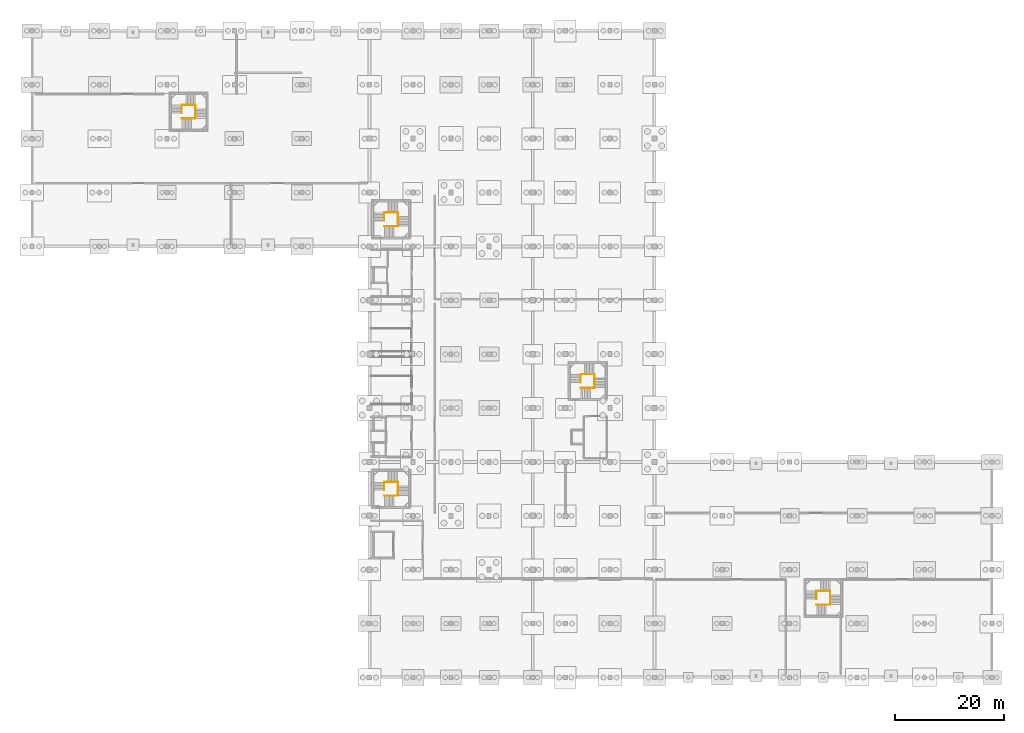
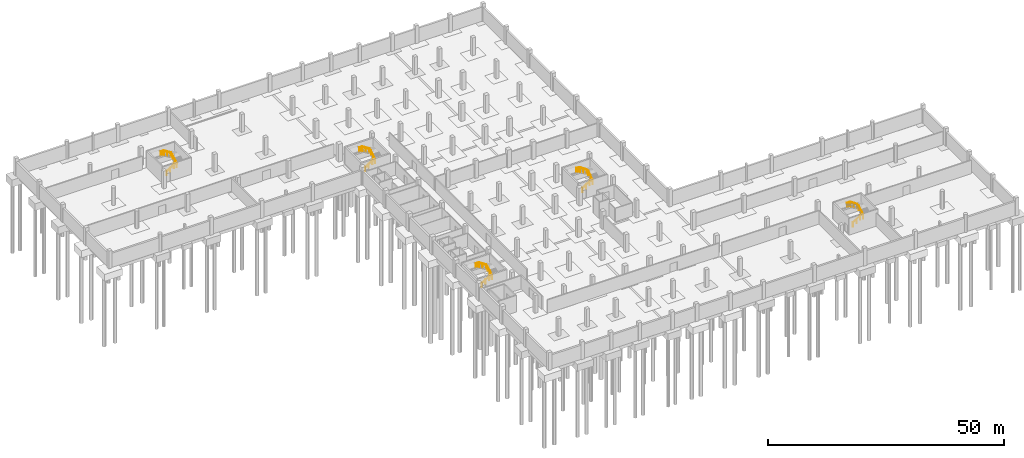
# One storey, part 29 of 30: 9 railings.
"""IFC4 building model written with IfcOpenShell, lengths in metres."""

from ifc_helpers import new_model, si_unit, direction, frame, origin, origin_2d, place, context, subcontext, project, spatial, circle, extrude, material, type_object, element, save


model = new_model("IFC4")

# Units and contexts
model_context = context("Model", 3, precision=1e-05, world=origin(), true_north=direction((0.0, 1.0)))
body_context = subcontext(model_context, "Body", "Model", "MODEL_VIEW")
ifc_project = project(units=[si_unit("LENGTHUNIT", "METRE"), si_unit("AREAUNIT", "SQUARE_METRE"), si_unit("VOLUMEUNIT", "CUBIC_METRE"), si_unit("PLANEANGLEUNIT", "RADIAN"), si_unit("MASSUNIT", "GRAM", prefix="KILO")], contexts=[model_context])

# Site, building, storey
site_placement = place(None, origin())
site = spatial("IfcSite", under=ifc_project, at=site_placement, CompositionType="ELEMENT")
building_placement = place(site_placement, origin())
building = spatial("IfcBuilding", under=site, at=building_placement, Name="Sillaruma Civic Art Gallery", CompositionType="ELEMENT")
storey_placement = place(building_placement, frame((0.0, 0.0, -9.179931640625)))
storey = spatial("IfcBuildingStorey", under=building, at=storey_placement, Name="B02", CompositionType="ELEMENT", Elevation=-9.179931640625)

# Railings
ifc_material = material(Name="Stainless Steel AISI 316", Category="steel")
railing_type_1 = type_object("IfcRailingType", Name="RAL-BAL-1150", PredefinedType="BALUSTRADE", material=ifc_material)
railing_1_placement = place(storey_placement, frame((27.5400390625, 102.679931640625, 0.0)))
element("IfcRailing", 1, at=railing_1_placement, inside=storey, type_object=railing_type_1, Name="Stair Well Balustrade (ST-01-B02)", PredefinedType="BALUSTRADE", context=body_context, shape_type="SweptSolid", body=[
    extrude(circle(Radius=0.02392578125, at=origin_2d()), frame((0.0, 0.0, 1.1259765625), z_axis=(0.834202413191, 0.0, 0.551458369984), x_axis=(0.0, 1.0, 0.0)), (0.0, 0.0, 1.0), 2.15771484375),
    extrude(circle(Radius=0.02392578125, at=origin_2d()), frame((1.800048828125, 0.0, 2.31591796875), z_axis=(1.0, 0.0, 0.0), x_axis=(0.0, 1.0, 0.0)), (0.0, 0.0, 1.0), 0.719970703125),
    extrude(circle(Radius=0.02392578125, at=origin_2d()), frame((2.52001953125, 0.0, 2.31591796875), z_axis=(0.0, 0.834202413191, 0.551458369984), x_axis=(-1.0, 0.0, 0.0)), (0.0, 0.0, 1.0), 2.15771484375),
    extrude(circle(Radius=0.02392578125, at=origin_2d()), frame((2.52001953125, 1.800048828125, 3.505859375), z_axis=(0.0, 1.0, 0.0), x_axis=(-1.0, 0.0, 0.0)), (0.0, 0.0, 1.0), 0.719970703125),
    extrude(circle(Radius=0.02392578125, at=origin_2d()), frame((2.52001953125, 2.52001953125, 3.505859375), z_axis=(-0.834202413191, 0.0, 0.551458369984), x_axis=(0.0, -1.0, 0.0)), (0.0, 0.0, 1.0), 2.15771484375),
    extrude(circle(Radius=0.02392578125, at=origin_2d()), frame((0.719970703125, 2.52001953125, 4.69580078125), z_axis=(-1.0, 0.0, 0.0), x_axis=(0.0, -1.0, 0.0)), (0.0, 0.0, 1.0), 0.719970703125),
    extrude(circle(Radius=0.02392578125, at=origin_2d()), frame((0.0, 2.52001953125, 4.69580078125), z_axis=(0.0, -0.828654473869, 0.559760451387), x_axis=(1.0, 0.0, 0.0)), (0.0, 0.0, 1.0), 1.822265625),
    extrude(circle(Radius=0.02099609375, at=origin_2d()), origin(), (0.0, 0.0, 1.0), 1.101806640625),
    extrude(circle(Radius=0.02099609375, at=origin_2d()), frame((0.89990234375, 0.0, 0.594970703125)), (0.0, 0.0, 1.0), 1.101806640625),
    extrude(circle(Radius=0.02099609375, at=origin_2d()), frame((1.800048828125, 0.0, 1.18994140625)), (0.0, 0.0, 1.0), 1.101806640625),
    extrude(circle(Radius=0.02099609375, at=origin_2d()), frame((2.52001953125, 0.0, 1.18994140625)), (0.0, 0.0, 1.0), 1.101806640625),
    extrude(circle(Radius=0.02099609375, at=origin_2d()), frame((2.52001953125, 0.89990234375, 1.784912109375)), (0.0, 0.0, 1.0), 1.101806640625),
    extrude(circle(Radius=0.02099609375, at=origin_2d()), frame((2.52001953125, 1.800048828125, 2.3798828125)), (0.0, 0.0, 1.0), 1.101806640625),
    extrude(circle(Radius=0.02099609375, at=origin_2d()), frame((2.52001953125, 2.52001953125, 2.3798828125)), (0.0, 0.0, 1.0), 1.101806640625),
    extrude(circle(Radius=0.02099609375, at=origin_2d()), frame((1.6201171875, 2.52001953125, 2.974853515625)), (0.0, 0.0, 1.0), 1.101806640625),
    extrude(circle(Radius=0.02099609375, at=origin_2d()), frame((0.719970703125, 2.52001953125, 3.56982421875)), (0.0, 0.0, 1.0), 1.101806640625),
    extrude(circle(Radius=0.02099609375, at=origin_2d()), frame((0.0, 2.52001953125, 3.56982421875)), (0.0, 0.0, 1.0), 1.101806640625),
    extrude(circle(Radius=0.02099609375, at=origin_2d()), frame((0.0, 1.76513671875, 4.079833984375)), (0.0, 0.0, 1.0), 1.101806640625),
    extrude(circle(Radius=0.02099609375, at=origin_2d()), frame((0.0, 1.010009765625, 4.58984375)), (0.0, 0.0, 1.0), 1.101806640625),
])
railing_2_placement = place(storey_placement, frame((64.739990234375, 82.889892578125, 0.0)))
element("IfcRailing", 2, at=railing_2_placement, inside=storey, type_object=railing_type_1, Name="Stair Well Balustrade (ST-02-B02)", PredefinedType="BALUSTRADE", context=body_context, shape_type="SweptSolid", body=[
    extrude(circle(Radius=0.02392578125, at=origin_2d()), frame((0.0, 0.0, 1.1259765625), z_axis=(0.834202413191, 0.0, 0.551458369984), x_axis=(0.0, 1.0, 0.0)), (0.0, 0.0, 1.0), 2.15771484375),
    extrude(circle(Radius=0.02392578125, at=origin_2d()), frame((1.800048828125, 0.0, 2.31591796875), z_axis=(1.0, 0.0, 0.0), x_axis=(0.0, 1.0, 0.0)), (0.0, 0.0, 1.0), 0.719970703125),
    extrude(circle(Radius=0.02392578125, at=origin_2d()), frame((2.52001953125, 0.0, 2.31591796875), z_axis=(0.0, 0.834202413191, 0.551458369984), x_axis=(-1.0, 0.0, 0.0)), (0.0, 0.0, 1.0), 2.15771484375),
    extrude(circle(Radius=0.02392578125, at=origin_2d()), frame((2.52001953125, 1.800048828125, 3.505859375), z_axis=(0.0, 1.0, 0.0), x_axis=(-1.0, 0.0, 0.0)), (0.0, 0.0, 1.0), 0.719970703125),
    extrude(circle(Radius=0.02392578125, at=origin_2d()), frame((2.52001953125, 2.52001953125, 3.505859375), z_axis=(-0.834202413191, 0.0, 0.551458369984), x_axis=(0.0, -1.0, 0.0)), (0.0, 0.0, 1.0), 2.15771484375),
    extrude(circle(Radius=0.02392578125, at=origin_2d()), frame((0.719970703125, 2.52001953125, 4.69580078125), z_axis=(-1.0, 0.0, 0.0), x_axis=(0.0, -1.0, 0.0)), (0.0, 0.0, 1.0), 0.719970703125),
    extrude(circle(Radius=0.02392578125, at=origin_2d()), frame((0.0, 2.52001953125, 4.69580078125), z_axis=(0.0, -0.828654473869, 0.559760451387), x_axis=(1.0, 0.0, 0.0)), (0.0, 0.0, 1.0), 1.822265625),
    extrude(circle(Radius=0.02099609375, at=origin_2d()), origin(), (0.0, 0.0, 1.0), 1.101806640625),
    extrude(circle(Radius=0.02099609375, at=origin_2d()), frame((0.89990234375, 0.0, 0.594970703125)), (0.0, 0.0, 1.0), 1.101806640625),
    extrude(circle(Radius=0.02099609375, at=origin_2d()), frame((1.800048828125, 0.0, 1.18994140625)), (0.0, 0.0, 1.0), 1.101806640625),
    extrude(circle(Radius=0.02099609375, at=origin_2d()), frame((2.52001953125, 0.0, 1.18994140625)), (0.0, 0.0, 1.0), 1.101806640625),
    extrude(circle(Radius=0.02099609375, at=origin_2d()), frame((2.52001953125, 0.89990234375, 1.784912109375)), (0.0, 0.0, 1.0), 1.101806640625),
    extrude(circle(Radius=0.02099609375, at=origin_2d()), frame((2.52001953125, 1.800048828125, 2.3798828125)), (0.0, 0.0, 1.0), 1.101806640625),
    extrude(circle(Radius=0.02099609375, at=origin_2d()), frame((2.52001953125, 2.52001953125, 2.3798828125)), (0.0, 0.0, 1.0), 1.101806640625),
    extrude(circle(Radius=0.02099609375, at=origin_2d()), frame((1.6201171875, 2.52001953125, 2.974853515625)), (0.0, 0.0, 1.0), 1.101806640625),
    extrude(circle(Radius=0.02099609375, at=origin_2d()), frame((0.719970703125, 2.52001953125, 3.56982421875)), (0.0, 0.0, 1.0), 1.101806640625),
    extrude(circle(Radius=0.02099609375, at=origin_2d()), frame((0.0, 2.52001953125, 3.56982421875)), (0.0, 0.0, 1.0), 1.101806640625),
    extrude(circle(Radius=0.02099609375, at=origin_2d()), frame((0.0, 1.76513671875, 4.079833984375)), (0.0, 0.0, 1.0), 1.101806640625),
    extrude(circle(Radius=0.02099609375, at=origin_2d()), frame((0.0, 1.010009765625, 4.58984375)), (0.0, 0.0, 1.0), 1.101806640625),
])
railing_3_placement = place(storey_placement, frame((64.739990234375, 33.389892578125, 0.0)))
element("IfcRailing", 3, at=railing_3_placement, inside=storey, type_object=railing_type_1, Name="Stair Well Balustrade (ST-03-B02)", PredefinedType="BALUSTRADE", context=body_context, shape_type="SweptSolid", body=[
    extrude(circle(Radius=0.02392578125, at=origin_2d()), frame((0.0, 0.0, 1.1259765625), z_axis=(0.834202413191, 0.0, 0.551458369984), x_axis=(0.0, 1.0, 0.0)), (0.0, 0.0, 1.0), 2.15771484375),
    extrude(circle(Radius=0.02392578125, at=origin_2d()), frame((1.800048828125, 0.0, 2.31591796875), z_axis=(1.0, 0.0, 0.0), x_axis=(0.0, 1.0, 0.0)), (0.0, 0.0, 1.0), 0.719970703125),
    extrude(circle(Radius=0.02392578125, at=origin_2d()), frame((2.52001953125, 0.0, 2.31591796875), z_axis=(0.0, 0.834202413191, 0.551458369984), x_axis=(-1.0, 0.0, 0.0)), (0.0, 0.0, 1.0), 2.15771484375),
    extrude(circle(Radius=0.02392578125, at=origin_2d()), frame((2.52001953125, 1.800048828125, 3.505859375), z_axis=(0.0, 1.0, 0.0), x_axis=(-1.0, 0.0, 0.0)), (0.0, 0.0, 1.0), 0.719970703125),
    extrude(circle(Radius=0.02392578125, at=origin_2d()), frame((2.52001953125, 2.52001953125, 3.505859375), z_axis=(-0.834202413191, 0.0, 0.551458369984), x_axis=(0.0, -1.0, 0.0)), (0.0, 0.0, 1.0), 2.15771484375),
    extrude(circle(Radius=0.02392578125, at=origin_2d()), frame((0.719970703125, 2.52001953125, 4.69580078125), z_axis=(-1.0, 0.0, 0.0), x_axis=(0.0, -1.0, 0.0)), (0.0, 0.0, 1.0), 0.719970703125),
    extrude(circle(Radius=0.02392578125, at=origin_2d()), frame((0.0, 2.52001953125, 4.69580078125), z_axis=(0.0, -0.828654473869, 0.559760451387), x_axis=(1.0, 0.0, 0.0)), (0.0, 0.0, 1.0), 1.822265625),
    extrude(circle(Radius=0.02099609375, at=origin_2d()), origin(), (0.0, 0.0, 1.0), 1.101806640625),
    extrude(circle(Radius=0.02099609375, at=origin_2d()), frame((0.89990234375, 0.0, 0.594970703125)), (0.0, 0.0, 1.0), 1.101806640625),
    extrude(circle(Radius=0.02099609375, at=origin_2d()), frame((1.800048828125, 0.0, 1.18994140625)), (0.0, 0.0, 1.0), 1.101806640625),
    extrude(circle(Radius=0.02099609375, at=origin_2d()), frame((2.52001953125, 0.0, 1.18994140625)), (0.0, 0.0, 1.0), 1.101806640625),
    extrude(circle(Radius=0.02099609375, at=origin_2d()), frame((2.52001953125, 0.89990234375, 1.784912109375)), (0.0, 0.0, 1.0), 1.101806640625),
    extrude(circle(Radius=0.02099609375, at=origin_2d()), frame((2.52001953125, 1.800048828125, 2.3798828125)), (0.0, 0.0, 1.0), 1.101806640625),
    extrude(circle(Radius=0.02099609375, at=origin_2d()), frame((2.52001953125, 2.52001953125, 2.3798828125)), (0.0, 0.0, 1.0), 1.101806640625),
    extrude(circle(Radius=0.02099609375, at=origin_2d()), frame((1.6201171875, 2.52001953125, 2.974853515625)), (0.0, 0.0, 1.0), 1.101806640625),
    extrude(circle(Radius=0.02099609375, at=origin_2d()), frame((0.719970703125, 2.52001953125, 3.56982421875)), (0.0, 0.0, 1.0), 1.101806640625),
    extrude(circle(Radius=0.02099609375, at=origin_2d()), frame((0.0, 2.52001953125, 3.56982421875)), (0.0, 0.0, 1.0), 1.101806640625),
    extrude(circle(Radius=0.02099609375, at=origin_2d()), frame((0.0, 1.76513671875, 4.079833984375)), (0.0, 0.0, 1.0), 1.101806640625),
    extrude(circle(Radius=0.02099609375, at=origin_2d()), frame((0.0, 1.010009765625, 4.58984375)), (0.0, 0.0, 1.0), 1.101806640625),
])
railing_4_placement = place(storey_placement, frame((100.840087890625, 53.18994140625, 0.0)))
element("IfcRailing", 4, at=railing_4_placement, inside=storey, type_object=railing_type_1, Name="Stair Well Balustrade (ST-04-B02)", PredefinedType="BALUSTRADE", context=body_context, shape_type="SweptSolid", body=[
    extrude(circle(Radius=0.02392578125, at=origin_2d()), frame((0.0, 0.0, 1.1259765625), z_axis=(0.834168000855, 0.0, 0.551510422703), x_axis=(0.0, 1.0, 0.0)), (0.0, 0.0, 1.0), 2.15771484375),
    extrude(circle(Radius=0.02392578125, at=origin_2d()), frame((1.7998046875, 0.0, 2.31591796875), z_axis=(1.0, 0.0, 0.0), x_axis=(0.0, 1.0, 0.0)), (0.0, 0.0, 1.0), 0.72021484375),
    extrude(circle(Radius=0.02392578125, at=origin_2d()), frame((2.52001953125, 0.0, 2.31591796875), z_axis=(0.0, 0.834202413191, 0.551458369984), x_axis=(-1.0, 0.0, 0.0)), (0.0, 0.0, 1.0), 2.15771484375),
    extrude(circle(Radius=0.02392578125, at=origin_2d()), frame((2.52001953125, 1.800048828125, 3.505859375), z_axis=(0.0, 1.0, 0.0), x_axis=(-1.0, 0.0, 0.0)), (0.0, 0.0, 1.0), 0.719970703125),
    extrude(circle(Radius=0.02392578125, at=origin_2d()), frame((2.52001953125, 2.52001953125, 3.505859375), z_axis=(-0.834202413191, 0.0, 0.551458369984), x_axis=(0.0, -1.0, 0.0)), (0.0, 0.0, 1.0), 2.15771484375),
    extrude(circle(Radius=0.02392578125, at=origin_2d()), frame((0.719970703125, 2.52001953125, 4.69580078125), z_axis=(-1.0, 0.0, 0.0), x_axis=(0.0, -1.0, 0.0)), (0.0, 0.0, 1.0), 0.719970703125),
    extrude(circle(Radius=0.02392578125, at=origin_2d()), frame((0.0, 2.52001953125, 4.69580078125), z_axis=(0.0, -0.828654473869, 0.559760451387), x_axis=(1.0, 0.0, 0.0)), (0.0, 0.0, 1.0), 1.822265625),
    extrude(circle(Radius=0.02099609375, at=origin_2d()), origin(), (0.0, 0.0, 1.0), 1.101806640625),
    extrude(circle(Radius=0.02099609375, at=origin_2d()), frame((0.89990234375, 0.0, 0.594970703125)), (0.0, 0.0, 1.0), 1.101806640625),
    extrude(circle(Radius=0.02099609375, at=origin_2d()), frame((1.7998046875, 0.0, 1.18994140625)), (0.0, 0.0, 1.0), 1.101806640625),
    extrude(circle(Radius=0.02099609375, at=origin_2d()), frame((2.52001953125, 0.0, 1.18994140625)), (0.0, 0.0, 1.0), 1.101806640625),
    extrude(circle(Radius=0.02099609375, at=origin_2d()), frame((2.52001953125, 0.89990234375, 1.784912109375)), (0.0, 0.0, 1.0), 1.101806640625),
    extrude(circle(Radius=0.02099609375, at=origin_2d()), frame((2.52001953125, 1.800048828125, 2.3798828125)), (0.0, 0.0, 1.0), 1.101806640625),
    extrude(circle(Radius=0.02099609375, at=origin_2d()), frame((2.52001953125, 2.52001953125, 2.3798828125)), (0.0, 0.0, 1.0), 1.101806640625),
    extrude(circle(Radius=0.02099609375, at=origin_2d()), frame((1.6201171875, 2.52001953125, 2.974853515625)), (0.0, 0.0, 1.0), 1.101806640625),
    extrude(circle(Radius=0.02099609375, at=origin_2d()), frame((0.719970703125, 2.52001953125, 3.56982421875)), (0.0, 0.0, 1.0), 1.101806640625),
    extrude(circle(Radius=0.02099609375, at=origin_2d()), frame((0.0, 2.52001953125, 3.56982421875)), (0.0, 0.0, 1.0), 1.101806640625),
    extrude(circle(Radius=0.02099609375, at=origin_2d()), frame((0.0, 1.76513671875, 4.079833984375)), (0.0, 0.0, 1.0), 1.101806640625),
    extrude(circle(Radius=0.02099609375, at=origin_2d()), frame((0.0, 1.010009765625, 4.58984375)), (0.0, 0.0, 1.0), 1.101806640625),
])
railing_5_placement = place(storey_placement, frame((144.139892578125, 13.3798828125, 0.0)))
element("IfcRailing", 5, at=railing_5_placement, inside=storey, type_object=railing_type_1, Name="Stair Well Balustrade (ST-05-B02)", PredefinedType="BALUSTRADE", context=body_context, shape_type="SweptSolid", body=[
    extrude(circle(Radius=0.02392578125, at=origin_2d()), frame((0.0, 0.0, 1.1259765625), z_axis=(0.834202413191, 0.0, 0.551458369984), x_axis=(0.0, 1.0, 0.0)), (0.0, 0.0, 1.0), 2.15771484375),
    extrude(circle(Radius=0.02392578125, at=origin_2d()), frame((1.800048828125, 0.0, 2.31591796875), z_axis=(1.0, 0.0, 0.0), x_axis=(0.0, 1.0, 0.0)), (0.0, 0.0, 1.0), 0.719970703125),
    extrude(circle(Radius=0.02392578125, at=origin_2d()), frame((2.52001953125, 0.0, 2.31591796875), z_axis=(0.0, 0.834202413191, 0.551458369984), x_axis=(-1.0, 0.0, 0.0)), (0.0, 0.0, 1.0), 2.15771484375),
    extrude(circle(Radius=0.02392578125, at=origin_2d()), frame((2.52001953125, 1.800048828125, 3.505859375), z_axis=(0.0, 1.0, 0.0), x_axis=(-1.0, 0.0, 0.0)), (0.0, 0.0, 1.0), 0.719970703125),
    extrude(circle(Radius=0.02392578125, at=origin_2d()), frame((2.52001953125, 2.52001953125, 3.505859375), z_axis=(-0.834168000855, 0.0, 0.551510422703), x_axis=(0.0, -1.0, 0.0)), (0.0, 0.0, 1.0), 2.15771484375),
    extrude(circle(Radius=0.02392578125, at=origin_2d()), frame((0.72021484375, 2.52001953125, 4.69580078125), z_axis=(-1.0, 0.0, 0.0), x_axis=(0.0, -1.0, 0.0)), (0.0, 0.0, 1.0), 0.72021484375),
    extrude(circle(Radius=0.02392578125, at=origin_2d()), frame((0.0, 2.52001953125, 4.69580078125), z_axis=(0.0, -0.828654473869, 0.559760451387), x_axis=(1.0, 0.0, 0.0)), (0.0, 0.0, 1.0), 1.822265625),
    extrude(circle(Radius=0.02099609375, at=origin_2d()), origin(), (0.0, 0.0, 1.0), 1.101806640625),
    extrude(circle(Radius=0.02099609375, at=origin_2d()), frame((0.89990234375, 0.0, 0.594970703125)), (0.0, 0.0, 1.0), 1.101806640625),
    extrude(circle(Radius=0.02099609375, at=origin_2d()), frame((1.800048828125, 0.0, 1.18994140625)), (0.0, 0.0, 1.0), 1.101806640625),
    extrude(circle(Radius=0.02099609375, at=origin_2d()), frame((2.52001953125, 0.0, 1.18994140625)), (0.0, 0.0, 1.0), 1.101806640625),
    extrude(circle(Radius=0.02099609375, at=origin_2d()), frame((2.52001953125, 0.89990234375, 1.784912109375)), (0.0, 0.0, 1.0), 1.101806640625),
    extrude(circle(Radius=0.02099609375, at=origin_2d()), frame((2.52001953125, 1.800048828125, 2.3798828125)), (0.0, 0.0, 1.0), 1.101806640625),
    extrude(circle(Radius=0.02099609375, at=origin_2d()), frame((2.52001953125, 2.52001953125, 2.3798828125)), (0.0, 0.0, 1.0), 1.101806640625),
    extrude(circle(Radius=0.02099609375, at=origin_2d()), frame((1.6201171875, 2.52001953125, 2.974853515625)), (0.0, 0.0, 1.0), 1.101806640625),
    extrude(circle(Radius=0.02099609375, at=origin_2d()), frame((0.72021484375, 2.52001953125, 3.56982421875)), (0.0, 0.0, 1.0), 1.101806640625),
    extrude(circle(Radius=0.02099609375, at=origin_2d()), frame((0.0, 2.52001953125, 3.56982421875)), (0.0, 0.0, 1.0), 1.101806640625),
    extrude(circle(Radius=0.02099609375, at=origin_2d()), frame((0.0, 1.76513671875, 4.079833984375)), (0.0, 0.0, 1.0), 1.101806640625),
    extrude(circle(Radius=0.02099609375, at=origin_2d()), frame((0.0, 1.010009765625, 4.58984375)), (0.0, 0.0, 1.0), 1.101806640625),
])
railing_type_2 = type_object("IfcRailingType", Name="RAL-HND-920", PredefinedType="HANDRAIL", material=ifc_material)
railing_6_placement = place(storey_placement, frame((27.5400390625, 102.679931640625, 0.0)))
element("IfcRailing", 6, at=railing_6_placement, inside=storey, type_object=railing_type_2, Name="Stair Continuous Handrail (ST-01-B02)", PredefinedType="HANDRAIL", context=body_context, shape_type="SweptSolid", body=[
    extrude(circle(Radius=0.02392578125, at=origin_2d()), frame((0.0, 0.0, 0.89599609375), z_axis=(0.834202413191, 0.0, 0.551458369984), x_axis=(0.0, 1.0, 0.0)), (0.0, 0.0, 1.0), 2.15771484375),
    extrude(circle(Radius=0.02392578125, at=origin_2d()), frame((1.800048828125, 0.0, 2.0859375), z_axis=(1.0, 0.0, 0.0), x_axis=(0.0, 1.0, 0.0)), (0.0, 0.0, 1.0), 0.719970703125),
    extrude(circle(Radius=0.02392578125, at=origin_2d()), frame((2.52001953125, 0.0, 2.0859375), z_axis=(0.0, 0.834202413191, 0.551458369984), x_axis=(-1.0, 0.0, 0.0)), (0.0, 0.0, 1.0), 2.15771484375),
    extrude(circle(Radius=0.02392578125, at=origin_2d()), frame((2.52001953125, 1.800048828125, 3.27587890625), z_axis=(0.0, 1.0, 0.0), x_axis=(-1.0, 0.0, 0.0)), (0.0, 0.0, 1.0), 0.719970703125),
    extrude(circle(Radius=0.02392578125, at=origin_2d()), frame((2.52001953125, 2.52001953125, 3.27587890625), z_axis=(-0.834202413191, 0.0, 0.551458369984), x_axis=(0.0, -1.0, 0.0)), (0.0, 0.0, 1.0), 2.15771484375),
    extrude(circle(Radius=0.02392578125, at=origin_2d()), frame((0.719970703125, 2.52001953125, 4.4658203125), z_axis=(-1.0, 0.0, 0.0), x_axis=(0.0, -1.0, 0.0)), (0.0, 0.0, 1.0), 0.719970703125),
    extrude(circle(Radius=0.02392578125, at=origin_2d()), frame((0.0, 2.52001953125, 4.4658203125), z_axis=(0.0, -0.828654473869, 0.559760451387), x_axis=(1.0, 0.0, 0.0)), (0.0, 0.0, 1.0), 1.822265625),
    extrude(circle(Radius=0.02099609375, at=origin_2d()), origin(), (0.0, 0.0, 1.0), 0.871826171875),
    extrude(circle(Radius=0.02099609375, at=origin_2d()), frame((0.89990234375, 0.0, 0.594970703125)), (0.0, 0.0, 1.0), 0.871826171875),
    extrude(circle(Radius=0.02099609375, at=origin_2d()), frame((1.800048828125, 0.0, 1.18994140625)), (0.0, 0.0, 1.0), 0.871826171875),
    extrude(circle(Radius=0.02099609375, at=origin_2d()), frame((2.52001953125, 0.0, 1.18994140625)), (0.0, 0.0, 1.0), 0.871826171875),
    extrude(circle(Radius=0.02099609375, at=origin_2d()), frame((2.52001953125, 0.89990234375, 1.784912109375)), (0.0, 0.0, 1.0), 0.871826171875),
    extrude(circle(Radius=0.02099609375, at=origin_2d()), frame((2.52001953125, 1.800048828125, 2.3798828125)), (0.0, 0.0, 1.0), 0.871826171875),
    extrude(circle(Radius=0.02099609375, at=origin_2d()), frame((2.52001953125, 2.52001953125, 2.3798828125)), (0.0, 0.0, 1.0), 0.871826171875),
    extrude(circle(Radius=0.02099609375, at=origin_2d()), frame((1.6201171875, 2.52001953125, 2.974853515625)), (0.0, 0.0, 1.0), 0.871826171875),
    extrude(circle(Radius=0.02099609375, at=origin_2d()), frame((0.719970703125, 2.52001953125, 3.56982421875)), (0.0, 0.0, 1.0), 0.871826171875),
    extrude(circle(Radius=0.02099609375, at=origin_2d()), frame((0.0, 2.52001953125, 3.56982421875)), (0.0, 0.0, 1.0), 0.871826171875),
    extrude(circle(Radius=0.02099609375, at=origin_2d()), frame((0.0, 1.76513671875, 4.079833984375)), (0.0, 0.0, 1.0), 0.871826171875),
    extrude(circle(Radius=0.02099609375, at=origin_2d()), frame((0.0, 1.010009765625, 4.58984375)), (0.0, 0.0, 1.0), 0.871826171875),
])
railing_7_placement = place(storey_placement, frame((64.739990234375, 82.889892578125, 0.0)))
element("IfcRailing", 7, at=railing_7_placement, inside=storey, type_object=railing_type_2, Name="Stair Continuous Handrail (ST-02-B02)", PredefinedType="HANDRAIL", context=body_context, shape_type="SweptSolid", body=[
    extrude(circle(Radius=0.02392578125, at=origin_2d()), frame((0.0, 0.0, 0.89599609375), z_axis=(0.834202413191, 0.0, 0.551458369984), x_axis=(0.0, 1.0, 0.0)), (0.0, 0.0, 1.0), 2.15771484375),
    extrude(circle(Radius=0.02392578125, at=origin_2d()), frame((1.800048828125, 0.0, 2.0859375), z_axis=(1.0, 0.0, 0.0), x_axis=(0.0, 1.0, 0.0)), (0.0, 0.0, 1.0), 0.719970703125),
    extrude(circle(Radius=0.02392578125, at=origin_2d()), frame((2.52001953125, 0.0, 2.0859375), z_axis=(0.0, 0.834202413191, 0.551458369984), x_axis=(-1.0, 0.0, 0.0)), (0.0, 0.0, 1.0), 2.15771484375),
    extrude(circle(Radius=0.02392578125, at=origin_2d()), frame((2.52001953125, 1.800048828125, 3.27587890625), z_axis=(0.0, 1.0, 0.0), x_axis=(-1.0, 0.0, 0.0)), (0.0, 0.0, 1.0), 0.719970703125),
    extrude(circle(Radius=0.02392578125, at=origin_2d()), frame((2.52001953125, 2.52001953125, 3.27587890625), z_axis=(-0.834202413191, 0.0, 0.551458369984), x_axis=(0.0, -1.0, 0.0)), (0.0, 0.0, 1.0), 2.15771484375),
    extrude(circle(Radius=0.02392578125, at=origin_2d()), frame((0.719970703125, 2.52001953125, 4.4658203125), z_axis=(-1.0, 0.0, 0.0), x_axis=(0.0, -1.0, 0.0)), (0.0, 0.0, 1.0), 0.719970703125),
    extrude(circle(Radius=0.02392578125, at=origin_2d()), frame((0.0, 2.52001953125, 4.4658203125), z_axis=(0.0, -0.828654473869, 0.559760451387), x_axis=(1.0, 0.0, 0.0)), (0.0, 0.0, 1.0), 1.822265625),
    extrude(circle(Radius=0.02099609375, at=origin_2d()), origin(), (0.0, 0.0, 1.0), 0.871826171875),
    extrude(circle(Radius=0.02099609375, at=origin_2d()), frame((0.89990234375, 0.0, 0.594970703125)), (0.0, 0.0, 1.0), 0.871826171875),
    extrude(circle(Radius=0.02099609375, at=origin_2d()), frame((1.800048828125, 0.0, 1.18994140625)), (0.0, 0.0, 1.0), 0.871826171875),
    extrude(circle(Radius=0.02099609375, at=origin_2d()), frame((2.52001953125, 0.0, 1.18994140625)), (0.0, 0.0, 1.0), 0.871826171875),
    extrude(circle(Radius=0.02099609375, at=origin_2d()), frame((2.52001953125, 0.89990234375, 1.784912109375)), (0.0, 0.0, 1.0), 0.871826171875),
    extrude(circle(Radius=0.02099609375, at=origin_2d()), frame((2.52001953125, 1.800048828125, 2.3798828125)), (0.0, 0.0, 1.0), 0.871826171875),
    extrude(circle(Radius=0.02099609375, at=origin_2d()), frame((2.52001953125, 2.52001953125, 2.3798828125)), (0.0, 0.0, 1.0), 0.871826171875),
    extrude(circle(Radius=0.02099609375, at=origin_2d()), frame((1.6201171875, 2.52001953125, 2.974853515625)), (0.0, 0.0, 1.0), 0.871826171875),
    extrude(circle(Radius=0.02099609375, at=origin_2d()), frame((0.719970703125, 2.52001953125, 3.56982421875)), (0.0, 0.0, 1.0), 0.871826171875),
    extrude(circle(Radius=0.02099609375, at=origin_2d()), frame((0.0, 2.52001953125, 3.56982421875)), (0.0, 0.0, 1.0), 0.871826171875),
    extrude(circle(Radius=0.02099609375, at=origin_2d()), frame((0.0, 1.76513671875, 4.079833984375)), (0.0, 0.0, 1.0), 0.871826171875),
    extrude(circle(Radius=0.02099609375, at=origin_2d()), frame((0.0, 1.010009765625, 4.58984375)), (0.0, 0.0, 1.0), 0.871826171875),
])
railing_8_placement = place(storey_placement, frame((64.739990234375, 33.389892578125, 0.0)))
element("IfcRailing", 8, at=railing_8_placement, inside=storey, type_object=railing_type_2, Name="Stair Continuous Handrail (ST-03-B02)", PredefinedType="HANDRAIL", context=body_context, shape_type="SweptSolid", body=[
    extrude(circle(Radius=0.02392578125, at=origin_2d()), frame((0.0, 0.0, 0.89599609375), z_axis=(0.834202413191, 0.0, 0.551458369984), x_axis=(0.0, 1.0, 0.0)), (0.0, 0.0, 1.0), 2.15771484375),
    extrude(circle(Radius=0.02392578125, at=origin_2d()), frame((1.800048828125, 0.0, 2.0859375), z_axis=(1.0, 0.0, 0.0), x_axis=(0.0, 1.0, 0.0)), (0.0, 0.0, 1.0), 0.719970703125),
    extrude(circle(Radius=0.02392578125, at=origin_2d()), frame((2.52001953125, 0.0, 2.0859375), z_axis=(0.0, 0.834202413191, 0.551458369984), x_axis=(-1.0, 0.0, 0.0)), (0.0, 0.0, 1.0), 2.15771484375),
    extrude(circle(Radius=0.02392578125, at=origin_2d()), frame((2.52001953125, 1.800048828125, 3.27587890625), z_axis=(0.0, 1.0, 0.0), x_axis=(-1.0, 0.0, 0.0)), (0.0, 0.0, 1.0), 0.719970703125),
    extrude(circle(Radius=0.02392578125, at=origin_2d()), frame((2.52001953125, 2.52001953125, 3.27587890625), z_axis=(-0.834202413191, 0.0, 0.551458369984), x_axis=(0.0, -1.0, 0.0)), (0.0, 0.0, 1.0), 2.15771484375),
    extrude(circle(Radius=0.02392578125, at=origin_2d()), frame((0.719970703125, 2.52001953125, 4.4658203125), z_axis=(-1.0, 0.0, 0.0), x_axis=(0.0, -1.0, 0.0)), (0.0, 0.0, 1.0), 0.719970703125),
    extrude(circle(Radius=0.02392578125, at=origin_2d()), frame((0.0, 2.52001953125, 4.4658203125), z_axis=(0.0, -0.828654473869, 0.559760451387), x_axis=(1.0, 0.0, 0.0)), (0.0, 0.0, 1.0), 1.822265625),
    extrude(circle(Radius=0.02099609375, at=origin_2d()), origin(), (0.0, 0.0, 1.0), 0.871826171875),
    extrude(circle(Radius=0.02099609375, at=origin_2d()), frame((0.89990234375, 0.0, 0.594970703125)), (0.0, 0.0, 1.0), 0.871826171875),
    extrude(circle(Radius=0.02099609375, at=origin_2d()), frame((1.800048828125, 0.0, 1.18994140625)), (0.0, 0.0, 1.0), 0.871826171875),
    extrude(circle(Radius=0.02099609375, at=origin_2d()), frame((2.52001953125, 0.0, 1.18994140625)), (0.0, 0.0, 1.0), 0.871826171875),
    extrude(circle(Radius=0.02099609375, at=origin_2d()), frame((2.52001953125, 0.89990234375, 1.784912109375)), (0.0, 0.0, 1.0), 0.871826171875),
    extrude(circle(Radius=0.02099609375, at=origin_2d()), frame((2.52001953125, 1.800048828125, 2.3798828125)), (0.0, 0.0, 1.0), 0.871826171875),
    extrude(circle(Radius=0.02099609375, at=origin_2d()), frame((2.52001953125, 2.52001953125, 2.3798828125)), (0.0, 0.0, 1.0), 0.871826171875),
    extrude(circle(Radius=0.02099609375, at=origin_2d()), frame((1.6201171875, 2.52001953125, 2.974853515625)), (0.0, 0.0, 1.0), 0.871826171875),
    extrude(circle(Radius=0.02099609375, at=origin_2d()), frame((0.719970703125, 2.52001953125, 3.56982421875)), (0.0, 0.0, 1.0), 0.871826171875),
    extrude(circle(Radius=0.02099609375, at=origin_2d()), frame((0.0, 2.52001953125, 3.56982421875)), (0.0, 0.0, 1.0), 0.871826171875),
    extrude(circle(Radius=0.02099609375, at=origin_2d()), frame((0.0, 1.76513671875, 4.079833984375)), (0.0, 0.0, 1.0), 0.871826171875),
    extrude(circle(Radius=0.02099609375, at=origin_2d()), frame((0.0, 1.010009765625, 4.58984375)), (0.0, 0.0, 1.0), 0.871826171875),
])
railing_9_placement = place(storey_placement, frame((100.840087890625, 53.18994140625, 0.0)))
element("IfcRailing", 9, at=railing_9_placement, inside=storey, type_object=railing_type_2, Name="Stair Continuous Handrail (ST-04-B02)", PredefinedType="HANDRAIL", context=body_context, shape_type="SweptSolid", body=[
    extrude(circle(Radius=0.02392578125, at=origin_2d()), frame((0.0, 0.0, 0.89599609375), z_axis=(0.834168000855, 0.0, 0.551510422703), x_axis=(0.0, 1.0, 0.0)), (0.0, 0.0, 1.0), 2.15771484375),
    extrude(circle(Radius=0.02392578125, at=origin_2d()), frame((1.7998046875, 0.0, 2.0859375), z_axis=(1.0, 0.0, 0.0), x_axis=(0.0, 1.0, 0.0)), (0.0, 0.0, 1.0), 0.72021484375),
    extrude(circle(Radius=0.02392578125, at=origin_2d()), frame((2.52001953125, 0.0, 2.0859375), z_axis=(0.0, 0.834202413191, 0.551458369984), x_axis=(-1.0, 0.0, 0.0)), (0.0, 0.0, 1.0), 2.15771484375),
    extrude(circle(Radius=0.02392578125, at=origin_2d()), frame((2.52001953125, 1.800048828125, 3.27587890625), z_axis=(0.0, 1.0, 0.0), x_axis=(-1.0, 0.0, 0.0)), (0.0, 0.0, 1.0), 0.719970703125),
    extrude(circle(Radius=0.02392578125, at=origin_2d()), frame((2.52001953125, 2.52001953125, 3.27587890625), z_axis=(-0.834202413191, 0.0, 0.551458369984), x_axis=(0.0, -1.0, 0.0)), (0.0, 0.0, 1.0), 2.15771484375),
    extrude(circle(Radius=0.02392578125, at=origin_2d()), frame((0.719970703125, 2.52001953125, 4.4658203125), z_axis=(-1.0, 0.0, 0.0), x_axis=(0.0, -1.0, 0.0)), (0.0, 0.0, 1.0), 0.719970703125),
    extrude(circle(Radius=0.02392578125, at=origin_2d()), frame((0.0, 2.52001953125, 4.4658203125), z_axis=(0.0, -0.828654473869, 0.559760451387), x_axis=(1.0, 0.0, 0.0)), (0.0, 0.0, 1.0), 1.822265625),
    extrude(circle(Radius=0.02099609375, at=origin_2d()), origin(), (0.0, 0.0, 1.0), 0.871826171875),
    extrude(circle(Radius=0.02099609375, at=origin_2d()), frame((0.89990234375, 0.0, 0.594970703125)), (0.0, 0.0, 1.0), 0.871826171875),
    extrude(circle(Radius=0.02099609375, at=origin_2d()), frame((1.7998046875, 0.0, 1.18994140625)), (0.0, 0.0, 1.0), 0.871826171875),
    extrude(circle(Radius=0.02099609375, at=origin_2d()), frame((2.52001953125, 0.0, 1.18994140625)), (0.0, 0.0, 1.0), 0.871826171875),
    extrude(circle(Radius=0.02099609375, at=origin_2d()), frame((2.52001953125, 0.89990234375, 1.784912109375)), (0.0, 0.0, 1.0), 0.871826171875),
    extrude(circle(Radius=0.02099609375, at=origin_2d()), frame((2.52001953125, 1.800048828125, 2.3798828125)), (0.0, 0.0, 1.0), 0.871826171875),
    extrude(circle(Radius=0.02099609375, at=origin_2d()), frame((2.52001953125, 2.52001953125, 2.3798828125)), (0.0, 0.0, 1.0), 0.871826171875),
    extrude(circle(Radius=0.02099609375, at=origin_2d()), frame((1.6201171875, 2.52001953125, 2.974853515625)), (0.0, 0.0, 1.0), 0.871826171875),
    extrude(circle(Radius=0.02099609375, at=origin_2d()), frame((0.719970703125, 2.52001953125, 3.56982421875)), (0.0, 0.0, 1.0), 0.871826171875),
    extrude(circle(Radius=0.02099609375, at=origin_2d()), frame((0.0, 2.52001953125, 3.56982421875)), (0.0, 0.0, 1.0), 0.871826171875),
    extrude(circle(Radius=0.02099609375, at=origin_2d()), frame((0.0, 1.76513671875, 4.079833984375)), (0.0, 0.0, 1.0), 0.871826171875),
    extrude(circle(Radius=0.02099609375, at=origin_2d()), frame((0.0, 1.010009765625, 4.58984375)), (0.0, 0.0, 1.0), 0.871826171875),
])

save(model, "model.ifc")
